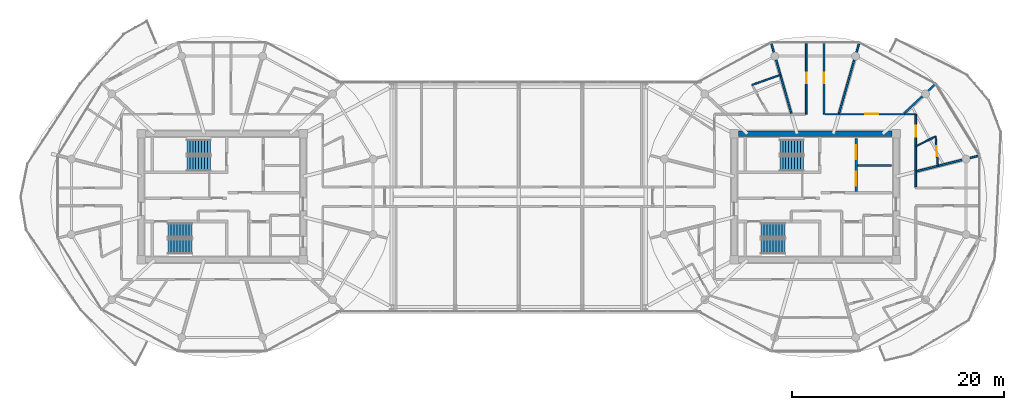
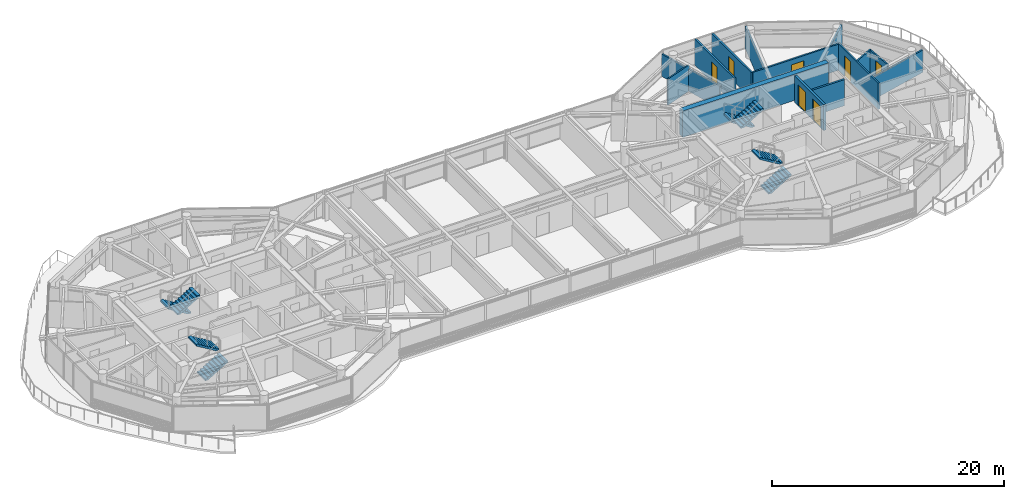
# One storey, part 20 of 23: 14 walls, 8 stair flights, 7 doors, 7 openings, 4 elements without a shape of their own.
"""IFC4 building model written with IfcOpenShell, lengths in metres."""

from ifc_helpers import new_model, si_unit, direction, frame, frame_2d, origin, place, context, subcontext, project, spatial, polyline, rectangle, outline, extrude, source, transform, mapped, material, layer, layer_set, type_object, type_shapes, element, fill, aggregate, save


model = new_model("IFC4")

# Units and contexts
model_context = context("Model", 3, precision=1e-05, world=origin(), true_north=direction((0.0, 1.0)))
body_context = subcontext(model_context, "Body", "Model", "MODEL_VIEW")
ifc_project = project(units=[si_unit("LENGTHUNIT", "METRE"), si_unit("AREAUNIT", "SQUARE_METRE"), si_unit("VOLUMEUNIT", "CUBIC_METRE"), si_unit("PLANEANGLEUNIT", "RADIAN"), si_unit("MASSUNIT", "GRAM", prefix="KILO")], contexts=[model_context])

# Site, building, storey
site_placement = place(None, origin())
site = spatial("IfcSite", under=ifc_project, at=site_placement, CompositionType="ELEMENT")
building_placement = place(site_placement, origin())
building = spatial("IfcBuilding", under=site, at=building_placement, Name="Norrkilde Senior Care Towers", CompositionType="ELEMENT")
storey_placement = place(building_placement, frame((0.0, 0.0, 207.800048828125)))
storey = spatial("IfcBuildingStorey", under=building, at=storey_placement, Name="L64", CompositionType="ELEMENT", Elevation=207.800048828125)

# Walls
ifc_material_1 = material(Name="Concrete C50/60", Category="concrete")
ifc_layer_1 = layer(ifc_material_1, 0.52001953125)
ifc_layer_set_1 = layer_set([ifc_layer_1], Name="Concrete C50/60")
wall_type_1 = type_object("IfcWallType", Name="Core Shear Wall Z4 520", PredefinedType="SHEAR", material=ifc_layer_set_1)
shared_shape_1 = source(origin(), body_context, "Body", "SweptSolid", [
    extrude(rectangle(XDim=14.5, YDim=0.52001953125, at=frame_2d((7.25, 0.0))), origin(), (0.0, 0.0, 1.0), 2.760009765625),
])
type_shapes(wall_type_1, [shared_shape_1])
wall_1_placement = place(storey_placement, frame((20.75, 5.949951171875, 0.0), z_axis=(0.0, 0.0, 1.0), x_axis=(1.0, 0.0, 0.0)))
element("IfcWall", 1, at=wall_1_placement, inside=storey, type_object=wall_type_1, Name="L64 Core E North Shear Wall", PredefinedType="SHEAR", context=body_context, shape_type="MappedRepresentation", body=[
    mapped(shared_shape_1, transform((0.0, 0.0, 0.0), x_axis=(1.0, 0.0, 0.0), y_axis=(0.0, 1.0, 0.0), z_axis=(0.0, 0.0, 1.0), scale=1.0)),
])
ifc_material_2 = material(Name="Gypsum Acoustic Board")
ifc_layer_2 = layer(ifc_material_2, 0.1650390625)
ifc_layer_set_2 = layer_set([ifc_layer_2], Name="Gypsum Acoustic Board")
wall_type_2 = type_object("IfcWallType", Name="Corridor Rated Partition 165", PredefinedType="PARTITIONING", material=ifc_layer_set_2)
shared_shape_2 = source(origin(), body_context, "Body", "SweptSolid", [
    extrude(rectangle(XDim=6.973876953125, YDim=0.1650390625, at=frame_2d((3.48681640625, 0.0))), origin(), (0.0, 0.0, 1.0), 2.344970703125),
])
for number, where, z_axis, x_axis, name in (
    (2, (30.251220703125, 7.8798828125, 0.0), (0.0, 0.0, 1.0), (0.274707256801, 0.961527910703, 0.0), "WL-INT-L64-E-DEM-02-0"),
    (3, (25.748779296875, 7.8798828125, 0.0), (0.0, 0.0, 1.0), (-0.274707256801, 0.961527910703, 0.0), "WL-INT-L64-E-DEM-03-0"),
):
    element("IfcWall", number, at=place(storey_placement, frame(where, z_axis=z_axis, x_axis=x_axis)), inside=storey, type_object=wall_type_2, Name=name, PredefinedType="PARTITIONING", context=body_context, shape_type="MappedRepresentation", body=[
        mapped(shared_shape_2, transform((0.0, 0.0, 0.0), x_axis=(1.0, 0.0, 0.0), y_axis=(0.0, 1.0, 0.0), z_axis=(0.0, 0.0, 1.0), scale=1.0)),
    ])
shared_shape_3 = source(origin(), body_context, "Body", "SweptSolid", [
    extrude(rectangle(XDim=6.1572265625, YDim=0.1650390625, at=frame_2d((3.07861328125, 0.0))), origin(), (0.0, 0.0, 1.0), 2.344970703125),
])
wall_2_placement = place(storey_placement, frame((37.580078125, 2.407470703125, 0.0), z_axis=(0.0, 0.0, 1.0), x_axis=(0.969840867184, 0.243738984038, 0.0)))
element("IfcWall", 4, at=wall_2_placement, inside=storey, type_object=wall_type_2, Name="WL-INT-L64-E-DEM-00-0", PredefinedType="PARTITIONING", context=body_context, shape_type="MappedRepresentation", body=[
    mapped(shared_shape_3, transform((0.0, 0.0, 0.0), x_axis=(1.0, 0.0, 0.0), y_axis=(0.0, 1.0, 0.0), z_axis=(0.0, 0.0, 1.0), scale=1.0)),
])
ifc_layer_3 = layer(ifc_material_2, 0.18994140625)
ifc_layer_set_3 = layer_set([ifc_layer_3], Name="Gypsum Acoustic Board")
wall_type_3 = type_object("IfcWallType", Name="Unit Demising Acoustic Wall 190", PredefinedType="PARTITIONING", material=ifc_layer_set_3)
shared_shape_4 = source(origin(), body_context, "Body", "SweptSolid", [
    extrude(rectangle(XDim=4.089111328125, YDim=0.18994140625, at=frame_2d((2.04443359375, 0.0))), origin(), (0.0, 0.0, 1.0), 2.344970703125),
])
type_shapes(wall_type_3, [shared_shape_4])
wall_3_placement = place(storey_placement, frame((36.40185546875, 7.8798828125, 0.0), z_axis=(0.0, 0.0, 1.0), x_axis=(0.729401273609, 0.684086092577, 0.0)))
element("IfcWall", 5, at=wall_3_placement, inside=storey, type_object=wall_type_3, Name="WL-INT-L64-E-DEM-01-0", PredefinedType="PARTITIONING", context=body_context, shape_type="MappedRepresentation", body=[
    mapped(shared_shape_4, transform((0.0, 0.0, 0.0), x_axis=(1.0, 0.0, 0.0), y_axis=(0.0, 1.0, 0.0), z_axis=(0.0, 0.0, 1.0), scale=1.0)),
])

# Wall, openings, doors
ifc_material_3 = material(Name="Concrete C45/55", Category="concrete")
ifc_layer_4 = layer(ifc_material_3, 0.239990234375)
ifc_layer_set_4 = layer_set([ifc_layer_4], Name="Concrete C45/55")
wall_type_4 = type_object("IfcWallType", Name="Lift and Plant Rated Enclosure Partition 240", PredefinedType="PARTITIONING", material=ifc_layer_set_4)
shared_shape_5 = source(origin(), body_context, "Body", "SweptSolid", [
    extrude(rectangle(XDim=5.0, YDim=0.239990234375, at=frame_2d((2.5, 0.0))), origin(), (0.0, 0.0, 1.0), 2.744873046875),
])
type_shapes(wall_type_4, [shared_shape_5])
wall_4_placement = place(storey_placement, frame((31.860107421875, 0.5, 0.0), z_axis=(0.0, 0.0, 1.0), x_axis=(0.0, 1.0, 0.0)))
wall_4 = element("IfcWall", 6, at=wall_4_placement, inside=storey, type_object=wall_type_4, Name="WL-INT-L64-E-FFLE", PredefinedType="PARTITIONING", context=body_context, shape_type="MappedRepresentation", body=[
    mapped(shared_shape_5, transform((0.0, 0.0, 0.0), x_axis=(1.0, 0.0, 0.0), y_axis=(0.0, 1.0, 0.0), z_axis=(0.0, 0.0, 1.0), scale=1.0)),
])
opening_1_placement = place(wall_4_placement, frame((3.050048828125, 0.0, 0.0)))
opening_1 = element("IfcOpeningElement", 7, at=opening_1_placement, cuts=wall_4, Name="Opening LD-02", PredefinedType="OPENING", context=body_context, shape_type="SweptSolid", body=[
    extrude(rectangle(XDim=1.300048828125, YDim=2.199951171875, at=frame_2d((0.64990234375, 1.10009765625))), frame((0.0, 0.1298828125, 0.0), z_axis=(0.0, -1.0, 0.0), x_axis=(1.0, 0.0, 0.0)), (0.0, 0.0, 1.0), 0.260009765625),
])
opening_2_placement = place(wall_4_placement, frame((0.550048828125, 0.0, 0.0)))
opening_2 = element("IfcOpeningElement", 8, at=opening_2_placement, cuts=wall_4, Name="Opening LD-02", PredefinedType="OPENING", context=body_context, shape_type="SweptSolid", body=[
    extrude(rectangle(XDim=1.300048828125, YDim=2.199951171875, at=frame_2d((0.64990234375, 1.10009765625))), frame((0.0, 0.1298828125, 0.0), z_axis=(0.0, -1.0, 0.0), x_axis=(1.0, 0.0, 0.0)), (0.0, 0.0, 1.0), 0.260009765625),
])
ifc_material_4 = material(Name="Stainless Steel", Category="steel")
door_type_1 = type_object("IfcDoorType", Name="Stretcher and FFL Landing Sliding Door 1300x2200", OperationType="NOTDEFINED", PredefinedType="DOOR", material=ifc_material_4)
shared_shape_6 = source(origin(), body_context, "Body", "SweptSolid", [
    extrude(rectangle(XDim=1.300048828125, YDim=2.199951171875, at=frame_2d((0.64990234375, 1.10009765625))), frame((0.0, 0.02490234375, 0.0), z_axis=(0.0, -1.0, 0.0), x_axis=(1.0, 0.0, 0.0)), (0.0, 0.0, 1.0), 0.050048828125),
])
type_shapes(door_type_1, [shared_shape_6])
door_1_placement = place(opening_1_placement, origin())
door_1 = element("IfcDoor", 9, at=door_1_placement, inside=storey, type_object=door_type_1, Name="L64 Firefighting Lift E1 Landing Door", OperationType="SLIDING_TO_LEFT", OverallHeight=2.199951171875, OverallWidth=1.300048828125, PredefinedType="DOOR", context=body_context, shape_type="MappedRepresentation", body=[
    mapped(shared_shape_6, transform((0.0, 0.0, 0.0), x_axis=(1.0, 0.0, 0.0), y_axis=(0.0, 1.0, 0.0), z_axis=(0.0, 0.0, 1.0), scale=1.0)),
])
fill(opening_1, door_1)
door_2_placement = place(opening_2_placement, origin())
door_2 = element("IfcDoor", 10, at=door_2_placement, inside=storey, type_object=door_type_1, Name="L64 Stretcher Lift E1 Landing Door", OperationType="SLIDING_TO_RIGHT", OverallHeight=2.199951171875, OverallWidth=1.300048828125, PredefinedType="DOOR", context=body_context, shape_type="MappedRepresentation", body=[
    mapped(shared_shape_6, transform((0.0, 0.0, 0.0), x_axis=(1.0, 0.0, 0.0), y_axis=(0.0, 1.0, 0.0), z_axis=(0.0, 0.0, 1.0), scale=1.0)),
])
fill(opening_2, door_2)

# Wall
ifc_layer_5 = layer(ifc_material_3, 0.199951171875)
ifc_layer_set_5 = layer_set([ifc_layer_5], Name="Concrete C45/55")
wall_type_5 = type_object("IfcWallType", Name="Shaft Division and Plant Partition 200", PredefinedType="PARTITIONING", material=ifc_layer_set_5)
shared_shape_7 = source(origin(), body_context, "Body", "SweptSolid", [
    extrude(rectangle(XDim=3.199951171875, YDim=0.199951171875, at=frame_2d((1.60009765625, 0.0))), origin(), (0.0, 0.0, 1.0), 2.744873046875),
])
type_shapes(wall_type_5, [shared_shape_7])
wall_5_placement = place(storey_placement, frame((32.0, 2.949951171875, 0.0), z_axis=(0.0, 0.0, 1.0), x_axis=(1.0, 0.0, 0.0)))
element("IfcWall", 11, at=wall_5_placement, inside=storey, type_object=wall_type_5, Name="WL-INT-L64-E-FFLDIV", PredefinedType="PARTITIONING", context=body_context, shape_type="MappedRepresentation", body=[
    mapped(shared_shape_7, transform((0.0, 0.0, 0.0), x_axis=(1.0, 0.0, 0.0), y_axis=(0.0, 1.0, 0.0), z_axis=(0.0, 0.0, 1.0), scale=1.0)),
])

# Wall, opening, door
shared_shape_8 = source(origin(), body_context, "Body", "SweptSolid", [
    extrude(rectangle(XDim=8.580078125, YDim=0.1650390625, at=frame_2d((4.2900390625, 0.0))), origin(), (0.0, 0.0, 1.0), 2.744873046875),
])
wall_6_placement = place(storey_placement, frame((28.919921875, 7.800048828125, 0.0), z_axis=(0.0, 0.0, 1.0), x_axis=(1.0, 0.0, 0.0)))
wall_6 = element("IfcWall", 12, at=wall_6_placement, inside=storey, type_object=wall_type_2, Name="WL-INT-L64-E-CRW-N-1", PredefinedType="PARTITIONING", context=body_context, shape_type="MappedRepresentation", body=[
    mapped(shared_shape_8, transform((0.0, 0.0, 0.0), x_axis=(1.0, 0.0, 0.0), y_axis=(0.0, 1.0, 0.0), z_axis=(0.0, 0.0, 1.0), scale=1.0)),
])
opening_3_placement = place(wall_6_placement, frame((3.802490234375, 0.0, 0.0)))
opening_3 = element("IfcOpeningElement", 13, at=opening_3_placement, cuts=wall_6, Name="Opening D-05", PredefinedType="OPENING", context=body_context, shape_type="SweptSolid", body=[
    extrude(rectangle(XDim=1.25, YDim=2.199951171875, at=frame_2d((0.625, 1.10009765625))), frame((0.0, 0.092529296875, 0.0), z_axis=(0.0, -1.0, 0.0), x_axis=(1.0, 0.0, 0.0)), (0.0, 0.0, 1.0), 0.18505859375),
])
ifc_material_5 = material(Name="Nordic Ash Timber", Category="wood")
door_type_2 = type_object("IfcDoorType", Name="Care Bedroom Bariatric Door 1250x2200", OperationType="NOTDEFINED", PredefinedType="DOOR", material=ifc_material_5)
shared_shape_9 = source(origin(), body_context, "Body", "SweptSolid", [
    extrude(rectangle(XDim=1.25, YDim=2.199951171875, at=frame_2d((0.625, 1.10009765625))), frame((0.0, 0.02490234375, 0.0), z_axis=(0.0, -1.0, 0.0), x_axis=(1.0, 0.0, 0.0)), (0.0, 0.0, 1.0), 0.050048828125),
])
type_shapes(door_type_2, [shared_shape_9])
door_3_placement = place(opening_3_placement, frame((1.25, 0.0, 0.0), z_axis=(0.0, 0.0, 1.0), x_axis=(-1.0, 0.0, 0.0)))
door_3 = element("IfcDoor", 14, at=door_3_placement, inside=storey, type_object=door_type_2, Name="L64 Senior Wellness Library Lounge Door", OperationType="SINGLE_SWING_RIGHT", OverallHeight=2.199951171875, OverallWidth=1.25, PredefinedType="DOOR", context=body_context, shape_type="MappedRepresentation", body=[
    mapped(shared_shape_9, transform((0.0, 0.0, 0.0), x_axis=(1.0, 0.0, 0.0), y_axis=(0.0, 1.0, 0.0), z_axis=(0.0, 0.0, 1.0), scale=1.0)),
])
fill(opening_3, door_3)

shared_shape_10 = source(origin(), body_context, "Body", "SweptSolid", [
    extrude(rectangle(XDim=6.880126953125, YDim=0.1650390625, at=frame_2d((3.43994140625, 0.0))), origin(), (0.0, 0.0, 1.0), 2.744873046875),
])
wall_7_placement = place(storey_placement, frame((37.5, 7.800048828125, 0.0), z_axis=(0.0, 0.0, 1.0), x_axis=(0.0, -1.0, 0.0)))
wall_7 = element("IfcWall", 15, at=wall_7_placement, inside=storey, type_object=wall_type_2, Name="WL-INT-L64-E-CRW-E-0", PredefinedType="PARTITIONING", context=body_context, shape_type="MappedRepresentation", body=[
    mapped(shared_shape_10, transform((0.0, 0.0, 0.0), x_axis=(1.0, 0.0, 0.0), y_axis=(0.0, 1.0, 0.0), z_axis=(0.0, 0.0, 1.0), scale=1.0)),
])
opening_4_placement = place(wall_7_placement, frame((1.068115234375, 0.0, 0.0)))
opening_4 = element("IfcOpeningElement", 16, at=opening_4_placement, cuts=wall_7, Name="Opening D-06", PredefinedType="OPENING", context=body_context, shape_type="SweptSolid", body=[
    extrude(rectangle(XDim=1.050048828125, YDim=2.14990234375, at=frame_2d((0.52490234375, 1.074951171875))), frame((0.0, 0.092529296875, 0.0), z_axis=(0.0, -1.0, 0.0), x_axis=(1.0, 0.0, 0.0)), (0.0, 0.0, 1.0), 0.18505859375),
])
door_type_3 = type_object("IfcDoorType", Name="Apartment Entrance Fire Door 1050x2150", OperationType="NOTDEFINED", PredefinedType="DOOR", material=ifc_material_5)
shared_shape_11 = source(origin(), body_context, "Body", "SweptSolid", [
    extrude(rectangle(XDim=1.050048828125, YDim=2.14990234375, at=frame_2d((0.52490234375, 1.074951171875))), frame((0.0, 0.02490234375, 0.0), z_axis=(0.0, -1.0, 0.0), x_axis=(1.0, 0.0, 0.0)), (0.0, 0.0, 1.0), 0.050048828125),
])
type_shapes(door_type_3, [shared_shape_11])
door_4_placement = place(opening_4_placement, frame((1.050048828125, 0.0, 0.0), z_axis=(0.0, 0.0, 1.0), x_axis=(-1.0, 0.0, 0.0)))
door_4 = element("IfcDoor", 17, at=door_4_placement, inside=storey, type_object=door_type_3, Name="L64 Studio 64A Entrance Door", OperationType="SINGLE_SWING_LEFT", OverallHeight=2.14990234375, OverallWidth=1.050048828125, PredefinedType="DOOR", context=body_context, shape_type="MappedRepresentation", body=[
    mapped(shared_shape_11, transform((0.0, 0.0, 0.0), x_axis=(1.0, 0.0, 0.0), y_axis=(0.0, 1.0, 0.0), z_axis=(0.0, 0.0, 1.0), scale=1.0)),
])
fill(opening_4, door_4)

shared_shape_12 = source(origin(), body_context, "Body", "SweptSolid", [
    extrude(rectangle(XDim=6.83544921875, YDim=0.1650390625, at=frame_2d((3.417724609375, 0.0))), origin(), (0.0, 0.0, 1.0), 2.744873046875),
])
type_shapes(wall_type_2, [shared_shape_2, shared_shape_3, shared_shape_8, shared_shape_10, shared_shape_12])
wall_8_placement = place(storey_placement, frame((27.159912109375, 7.800048828125, 0.0), z_axis=(0.0, 0.0, 1.0), x_axis=(0.0, 1.0, 0.0)))
wall_8 = element("IfcWall", 18, at=wall_8_placement, inside=storey, type_object=wall_type_2, Name="WL-INT-L64-E-SPK-N1-0", PredefinedType="PARTITIONING", context=body_context, shape_type="MappedRepresentation", body=[
    mapped(shared_shape_12, transform((0.0, 0.0, 0.0), x_axis=(1.0, 0.0, 0.0), y_axis=(0.0, 1.0, 0.0), z_axis=(0.0, 0.0, 1.0), scale=1.0)),
])
opening_5_placement = place(wall_8_placement, frame((2.942626953125, 0.0, 0.0)))
opening_5 = element("IfcOpeningElement", 19, at=opening_5_placement, cuts=wall_8, Name="Opening D-07", PredefinedType="OPENING", context=body_context, shape_type="SweptSolid", body=[
    extrude(rectangle(XDim=0.949951171875, YDim=2.10009765625, at=frame_2d((0.47509765625, 1.050048828125))), frame((0.0, 0.092529296875, 0.0), z_axis=(0.0, -1.0, 0.0), x_axis=(1.0, 0.0, 0.0)), (0.0, 0.0, 1.0), 0.18505859375),
])
door_type_4 = type_object("IfcDoorType", Name="Internal Suite Bedroom Door 950x2100", OperationType="NOTDEFINED", PredefinedType="DOOR", material=ifc_material_5)
shared_shape_13 = source(origin(), body_context, "Body", "SweptSolid", [
    extrude(rectangle(XDim=0.949951171875, YDim=2.10009765625, at=frame_2d((0.47509765625, 1.050048828125))), frame((0.0, 0.02490234375, 0.0), z_axis=(0.0, -1.0, 0.0), x_axis=(1.0, 0.0, 0.0)), (0.0, 0.0, 1.0), 0.050048828125),
])
type_shapes(door_type_4, [shared_shape_13])
door_5_placement = place(opening_5_placement, frame((0.949951171875, 0.0, 0.0), z_axis=(0.0, 0.0, 1.0), x_axis=(-1.0, 0.0, 0.0)))
door_5 = element("IfcDoor", 20, at=door_5_placement, inside=storey, type_object=door_type_4, Name="L64 Sun Reading Lounge 3 Door", OperationType="SINGLE_SWING_RIGHT", OverallHeight=2.10009765625, OverallWidth=0.949951171875, PredefinedType="DOOR", context=body_context, shape_type="MappedRepresentation", body=[
    mapped(shared_shape_13, transform((0.0, 0.0, 0.0), x_axis=(1.0, 0.0, 0.0), y_axis=(0.0, 1.0, 0.0), z_axis=(0.0, 0.0, 1.0), scale=1.0)),
])
fill(opening_5, door_5)

wall_9_placement = place(storey_placement, frame((28.840087890625, 14.635498046875, 0.0), z_axis=(0.0, 0.0, 1.0), x_axis=(0.0, -1.0, 0.0)))
wall_9 = element("IfcWall", 21, at=wall_9_placement, inside=storey, type_object=wall_type_2, Name="WL-INT-L64-E-SPK-N2-0", PredefinedType="PARTITIONING", context=body_context, shape_type="MappedRepresentation", body=[
    mapped(shared_shape_12, transform((0.0, 0.0, 0.0), x_axis=(1.0, 0.0, 0.0), y_axis=(0.0, 1.0, 0.0), z_axis=(0.0, 0.0, 1.0), scale=1.0)),
])
opening_6_placement = place(wall_9_placement, frame((2.942626953125, 0.0, 0.0)))
opening_6 = element("IfcOpeningElement", 22, at=opening_6_placement, cuts=wall_9, Name="Opening D-07", PredefinedType="OPENING", context=body_context, shape_type="SweptSolid", body=[
    extrude(rectangle(XDim=0.949951171875, YDim=2.10009765625, at=frame_2d((0.47509765625, 1.050048828125))), frame((0.0, 0.092529296875, 0.0), z_axis=(0.0, -1.0, 0.0), x_axis=(1.0, 0.0, 0.0)), (0.0, 0.0, 1.0), 0.18505859375),
])
door_6_placement = place(opening_6_placement, frame((0.949951171875, 0.0, 0.0), z_axis=(0.0, 0.0, 1.0), x_axis=(-1.0, 0.0, 0.0)))
door_6 = element("IfcDoor", 23, at=door_6_placement, inside=storey, type_object=door_type_4, Name="L64 Sun Reading Lounge 4 Door", OperationType="SINGLE_SWING_LEFT", OverallHeight=2.10009765625, OverallWidth=0.949951171875, PredefinedType="DOOR", context=body_context, shape_type="MappedRepresentation", body=[
    mapped(shared_shape_13, transform((0.0, 0.0, 0.0), x_axis=(1.0, 0.0, 0.0), y_axis=(0.0, 1.0, 0.0), z_axis=(0.0, 0.0, 1.0), scale=1.0)),
])
fill(opening_6, door_6)

# Wall
ifc_layer_6 = layer(ifc_material_2, 0.139892578125)
ifc_layer_set_6 = layer_set([ifc_layer_6], Name="Gypsum Acoustic Board")
wall_type_6 = type_object("IfcWallType", Name="En-suite Wet Room Wall 140", PredefinedType="PARTITIONING", material=ifc_layer_set_6)
shared_shape_14 = source(origin(), body_context, "Body", "SweptSolid", [
    extrude(rectangle(XDim=2.059814453125, YDim=0.139892578125, at=frame_2d((1.02978515625, 0.0))), origin(), (0.0, 0.0, 1.0), 2.744873046875),
])
wall_10_placement = place(storey_placement, frame((37.530029296875, 4.7783203125, 0.0), z_axis=(0.0, 0.0, 1.0), x_axis=(0.893952568722, 0.448161583444, 0.0)))
element("IfcWall", 24, at=wall_10_placement, inside=storey, type_object=wall_type_6, Name="WL-INT-L64-E-ES-00", PredefinedType="PARTITIONING", context=body_context, shape_type="MappedRepresentation", body=[
    mapped(shared_shape_14, transform((0.0, 0.0, 0.0), x_axis=(1.0, 0.0, 0.0), y_axis=(0.0, 1.0, 0.0), z_axis=(0.0, 0.0, 1.0), scale=1.0)),
])

# Wall, opening, door
shared_shape_15 = source(origin(), body_context, "Body", "SweptSolid", [
    extrude(rectangle(XDim=2.79833984375, YDim=0.139892578125, at=frame_2d((1.399169921875, 0.0))), origin(), (0.0, 0.0, 1.0), 2.744873046875),
])
wall_11_placement = place(storey_placement, frame((39.371337890625, 5.701416015625, 0.0), z_axis=(0.0, 0.0, 1.0), x_axis=(0.077823984089, -0.996967114553, 0.0)))
wall_11 = element("IfcWall", 25, at=wall_11_placement, inside=storey, type_object=wall_type_6, Name="WL-INT-L64-E-EF-00", PredefinedType="PARTITIONING", context=body_context, shape_type="MappedRepresentation", body=[
    mapped(shared_shape_15, transform((0.0, 0.0, 0.0), x_axis=(1.0, 0.0, 0.0), y_axis=(0.0, 1.0, 0.0), z_axis=(0.0, 0.0, 1.0), scale=1.0)),
])
opening_7_placement = place(wall_11_placement, frame((0.939208984375, 0.0, 0.0)))
opening_7 = element("IfcOpeningElement", 26, at=opening_7_placement, cuts=wall_11, Name="Opening D-08", PredefinedType="OPENING", context=body_context, shape_type="SweptSolid", body=[
    extrude(rectangle(XDim=0.919921875, YDim=2.10009765625, at=frame_2d((0.4599609375, 1.050048828125))), frame((0.0, 0.079833984375, 0.0), z_axis=(0.0, -1.0, 0.0), x_axis=(1.0, 0.0, 0.0)), (0.0, 0.0, 1.0), 0.159912109375),
])
door_type_5 = type_object("IfcDoorType", Name="Accessible Wet Room Door 920x2100", OperationType="NOTDEFINED", PredefinedType="DOOR", material=ifc_material_5)
shared_shape_16 = source(origin(), body_context, "Body", "SweptSolid", [
    extrude(rectangle(XDim=0.919921875, YDim=2.10009765625, at=frame_2d((0.4599609375, 1.050048828125))), frame((0.0, 0.02490234375, 0.0), z_axis=(0.0, -1.0, 0.0), x_axis=(1.0, 0.0, 0.0)), (0.0, 0.0, 1.0), 0.050048828125),
])
type_shapes(door_type_5, [shared_shape_16])
door_7_placement = place(opening_7_placement, origin())
door_7 = element("IfcDoor", 27, at=door_7_placement, inside=storey, type_object=door_type_5, Name="L64 Studio 64A Bathroom Door", OperationType="SINGLE_SWING_RIGHT", OverallHeight=2.10009765625, OverallWidth=0.919921875, PredefinedType="DOOR", context=body_context, shape_type="MappedRepresentation", body=[
    mapped(shared_shape_16, transform((0.0, 0.0, 0.0), x_axis=(1.0, 0.0, 0.0), y_axis=(0.0, 1.0, 0.0), z_axis=(0.0, 0.0, 1.0), scale=1.0)),
])
fill(opening_7, door_7)

# Wall
shared_shape_17 = source(origin(), body_context, "Body", "SweptSolid", [
    extrude(rectangle(XDim=2.8310546875, YDim=0.139892578125, at=frame_2d((1.41552734375, 0.0))), origin(), (0.0, 0.0, 1.0), 2.744873046875),
])
type_shapes(wall_type_6, [shared_shape_14, shared_shape_15, shared_shape_17])
wall_12_placement = place(storey_placement, frame((22.042724609375, 10.5654296875, 0.0), z_axis=(0.0, 0.0, 1.0), x_axis=(0.941411742535, 0.337259441701, 0.0)))
element("IfcWall", 28, at=wall_12_placement, inside=storey, type_object=wall_type_6, Name="WL-INT-L64-E-EF-03", PredefinedType="PARTITIONING", context=body_context, shape_type="MappedRepresentation", body=[
    mapped(shared_shape_17, transform((0.0, 0.0, 0.0), x_axis=(1.0, 0.0, 0.0), y_axis=(0.0, 1.0, 0.0), z_axis=(0.0, 0.0, 1.0), scale=1.0)),
])

# Stair, stair flights
stair_type = type_object("IfcStairType", Name="Core Protected Dogleg Stair Typical 3050", PredefinedType="HALF_TURN_STAIR", material=ifc_material_3)
stair_1_placement = place(storey_placement, origin())
stair_1 = element("IfcStair", 29, at=stair_1_placement, inside=storey, type_object=stair_type, Name="L64 Protected Core Stair W1", PredefinedType="HALF_TURN_STAIR")
stair_flight_type = type_object("IfcStairFlightType", Name="Core Protected Dogleg Stair Typical 3050 Flight", PredefinedType="STRAIGHT", material=ifc_material_3)
stair_flight_1_placement = place(storey_placement, frame((-29.10009765625, 4.699951171875, 0.0), z_axis=(0.0, 0.0, 1.0), x_axis=(-1.0, 0.0, 0.0)))
stair_flight_1 = element("IfcStairFlight", 30, at=stair_flight_1_placement, type_object=stair_flight_type, Name="ST-W1 flight 1", NumberOfRisers=9, NumberOfTreads=8, PredefinedType="STRAIGHT", RiserHeight=0.169444444, TreadLength=0.28, context=body_context, shape_type="SweptSolid", body=[
    extrude(outline(polyline([(0.0, 0.0), (0.0, 0.16943359375), (0.280029296875, 0.16943359375), (0.280029296875, 0.3388671875), (0.56005859375, 0.3388671875), (0.56005859375, 0.50830078125), (0.840087890625, 0.50830078125), (0.840087890625, 0.677734375), (1.1201171875, 0.677734375), (1.1201171875, 0.84716796875), (1.39990234375, 0.84716796875), (1.39990234375, 1.0166015625), (1.679931640625, 1.0166015625), (1.679931640625, 1.18603515625), (1.9599609375, 1.18603515625), (1.9599609375, 1.35546875), (2.239990234375, 1.35546875), (2.239990234375, 1.52490234375), (2.239990234375, 1.180419921875), (0.28955078125, 0.0), (0.0, 0.0)])), frame((0.0, 0.699951171875, 0.0), z_axis=(0.0, -1.0, 0.0), x_axis=(1.0, 0.0, 0.0)), (0.0, 0.0, 1.0), 1.39990234375),
])
stair_flight_2_placement = place(storey_placement, frame((-31.340087890625, 3.14990234375, 1.52490234375), z_axis=(0.0, 0.0, 1.0), x_axis=(1.0, 0.0, 0.0)))
stair_flight_2 = element("IfcStairFlight", 31, at=stair_flight_2_placement, type_object=stair_flight_type, Name="ST-W1 flight 2", NumberOfRisers=9, NumberOfTreads=8, PredefinedType="STRAIGHT", RiserHeight=0.169444444, TreadLength=0.28, context=body_context, shape_type="SweptSolid", body=[
    extrude(outline(polyline([(0.0, 0.0), (0.0, 0.16943359375), (0.280029296875, 0.16943359375), (0.280029296875, 0.3388671875), (0.56005859375, 0.3388671875), (0.56005859375, 0.50830078125), (0.840087890625, 0.50830078125), (0.840087890625, 0.677734375), (1.1201171875, 0.677734375), (1.1201171875, 0.84716796875), (1.39990234375, 0.84716796875), (1.39990234375, 1.0166015625), (1.679931640625, 1.0166015625), (1.679931640625, 1.18603515625), (1.9599609375, 1.18603515625), (1.9599609375, 1.35546875), (2.239990234375, 1.35546875), (2.239990234375, 1.52490234375), (2.239990234375, 1.180419921875), (0.28955078125, 0.0), (0.0, 0.0)])), frame((0.0, 0.699951171875, 0.0), z_axis=(0.0, -1.0, 0.0), x_axis=(1.0, 0.0, 0.0)), (0.0, 0.0, 1.0), 1.39990234375),
])
aggregate(stair_1, [stair_flight_1, stair_flight_2])

stair_2_placement = place(storey_placement, origin())
stair_2 = element("IfcStair", 32, at=stair_2_placement, inside=storey, type_object=stair_type, Name="L64 Protected Core Stair W2", PredefinedType="HALF_TURN_STAIR")
stair_flight_3_placement = place(storey_placement, frame((-33.10009765625, -4.699951171875, 0.0), z_axis=(0.0, 0.0, 1.0), x_axis=(1.0, 0.0, 0.0)))
stair_flight_3 = element("IfcStairFlight", 33, at=stair_flight_3_placement, type_object=stair_flight_type, Name="ST-W2 flight 1", NumberOfRisers=9, NumberOfTreads=8, PredefinedType="STRAIGHT", RiserHeight=0.169444444, TreadLength=0.28, context=body_context, shape_type="SweptSolid", body=[
    extrude(outline(polyline([(0.0, 0.0), (0.0, 0.16943359375), (0.280029296875, 0.16943359375), (0.280029296875, 0.3388671875), (0.56005859375, 0.3388671875), (0.56005859375, 0.50830078125), (0.840087890625, 0.50830078125), (0.840087890625, 0.677734375), (1.1201171875, 0.677734375), (1.1201171875, 0.84716796875), (1.39990234375, 0.84716796875), (1.39990234375, 1.0166015625), (1.679931640625, 1.0166015625), (1.679931640625, 1.18603515625), (1.9599609375, 1.18603515625), (1.9599609375, 1.35546875), (2.239990234375, 1.35546875), (2.239990234375, 1.52490234375), (2.239990234375, 1.180419921875), (0.28955078125, 0.0), (0.0, 0.0)])), frame((0.0, 0.699951171875, 0.0), z_axis=(0.0, -1.0, 0.0), x_axis=(1.0, 0.0, 0.0)), (0.0, 0.0, 1.0), 1.39990234375),
])
stair_flight_4_placement = place(storey_placement, frame((-30.860107421875, -3.14990234375, 1.52490234375), z_axis=(0.0, 0.0, 1.0), x_axis=(-1.0, 0.0, 0.0)))
stair_flight_4 = element("IfcStairFlight", 34, at=stair_flight_4_placement, type_object=stair_flight_type, Name="ST-W2 flight 2", NumberOfRisers=9, NumberOfTreads=8, PredefinedType="STRAIGHT", RiserHeight=0.169444444, TreadLength=0.28, context=body_context, shape_type="SweptSolid", body=[
    extrude(outline(polyline([(0.0, 0.0), (0.0, 0.16943359375), (0.280029296875, 0.16943359375), (0.280029296875, 0.3388671875), (0.56005859375, 0.3388671875), (0.56005859375, 0.50830078125), (0.840087890625, 0.50830078125), (0.840087890625, 0.677734375), (1.1201171875, 0.677734375), (1.1201171875, 0.84716796875), (1.39990234375, 0.84716796875), (1.39990234375, 1.0166015625), (1.679931640625, 1.0166015625), (1.679931640625, 1.18603515625), (1.9599609375, 1.18603515625), (1.9599609375, 1.35546875), (2.239990234375, 1.35546875), (2.239990234375, 1.52490234375), (2.239990234375, 1.180419921875), (0.28955078125, 0.0), (0.0, 0.0)])), frame((0.0, 0.699951171875, 0.0), z_axis=(0.0, -1.0, 0.0), x_axis=(1.0, 0.0, 0.0)), (0.0, 0.0, 1.0), 1.39990234375),
])
aggregate(stair_2, [stair_flight_3, stair_flight_4])

stair_3_placement = place(storey_placement, origin())
stair_3 = element("IfcStair", 35, at=stair_3_placement, inside=storey, type_object=stair_type, Name="L64 Protected Core Stair E1", PredefinedType="HALF_TURN_STAIR")
stair_flight_5_placement = place(storey_placement, frame((26.89990234375, 4.699951171875, 0.0), z_axis=(0.0, 0.0, 1.0), x_axis=(-1.0, 0.0, 0.0)))
stair_flight_5 = element("IfcStairFlight", 36, at=stair_flight_5_placement, type_object=stair_flight_type, Name="ST-E1 flight 1", NumberOfRisers=9, NumberOfTreads=8, PredefinedType="STRAIGHT", RiserHeight=0.169444444, TreadLength=0.28, context=body_context, shape_type="SweptSolid", body=[
    extrude(outline(polyline([(0.0, 0.0), (0.0, 0.16943359375), (0.280029296875, 0.16943359375), (0.280029296875, 0.3388671875), (0.56005859375, 0.3388671875), (0.56005859375, 0.50830078125), (0.840087890625, 0.50830078125), (0.840087890625, 0.677734375), (1.1201171875, 0.677734375), (1.1201171875, 0.84716796875), (1.39990234375, 0.84716796875), (1.39990234375, 1.0166015625), (1.679931640625, 1.0166015625), (1.679931640625, 1.18603515625), (1.9599609375, 1.18603515625), (1.9599609375, 1.35546875), (2.239990234375, 1.35546875), (2.239990234375, 1.52490234375), (2.239990234375, 1.180419921875), (0.28955078125, 0.0), (0.0, 0.0)])), frame((0.0, 0.699951171875, 0.0), z_axis=(0.0, -1.0, 0.0), x_axis=(1.0, 0.0, 0.0)), (0.0, 0.0, 1.0), 1.39990234375),
])
stair_flight_6_placement = place(storey_placement, frame((24.659912109375, 3.14990234375, 1.52490234375), z_axis=(0.0, 0.0, 1.0), x_axis=(1.0, 0.0, 0.0)))
stair_flight_6 = element("IfcStairFlight", 37, at=stair_flight_6_placement, type_object=stair_flight_type, Name="ST-E1 flight 2", NumberOfRisers=9, NumberOfTreads=8, PredefinedType="STRAIGHT", RiserHeight=0.169444444, TreadLength=0.28, context=body_context, shape_type="SweptSolid", body=[
    extrude(outline(polyline([(0.0, 0.0), (0.0, 0.16943359375), (0.280029296875, 0.16943359375), (0.280029296875, 0.3388671875), (0.56005859375, 0.3388671875), (0.56005859375, 0.50830078125), (0.840087890625, 0.50830078125), (0.840087890625, 0.677734375), (1.1201171875, 0.677734375), (1.1201171875, 0.84716796875), (1.39990234375, 0.84716796875), (1.39990234375, 1.0166015625), (1.679931640625, 1.0166015625), (1.679931640625, 1.18603515625), (1.9599609375, 1.18603515625), (1.9599609375, 1.35546875), (2.239990234375, 1.35546875), (2.239990234375, 1.52490234375), (2.239990234375, 1.180419921875), (0.28955078125, 0.0), (0.0, 0.0)])), frame((0.0, 0.699951171875, 0.0), z_axis=(0.0, -1.0, 0.0), x_axis=(1.0, 0.0, 0.0)), (0.0, 0.0, 1.0), 1.39990234375),
])
aggregate(stair_3, [stair_flight_5, stair_flight_6])

stair_4_placement = place(storey_placement, origin())
stair_4 = element("IfcStair", 38, at=stair_4_placement, inside=storey, type_object=stair_type, Name="L64 Protected Core Stair E2", PredefinedType="HALF_TURN_STAIR")
stair_flight_7_placement = place(storey_placement, frame((22.89990234375, -4.699951171875, 0.0), z_axis=(0.0, 0.0, 1.0), x_axis=(1.0, 0.0, 0.0)))
stair_flight_7 = element("IfcStairFlight", 39, at=stair_flight_7_placement, type_object=stair_flight_type, Name="ST-E2 flight 1", NumberOfRisers=9, NumberOfTreads=8, PredefinedType="STRAIGHT", RiserHeight=0.169444444, TreadLength=0.28, context=body_context, shape_type="SweptSolid", body=[
    extrude(outline(polyline([(0.0, 0.0), (0.0, 0.16943359375), (0.280029296875, 0.16943359375), (0.280029296875, 0.3388671875), (0.56005859375, 0.3388671875), (0.56005859375, 0.50830078125), (0.840087890625, 0.50830078125), (0.840087890625, 0.677734375), (1.1201171875, 0.677734375), (1.1201171875, 0.84716796875), (1.39990234375, 0.84716796875), (1.39990234375, 1.0166015625), (1.679931640625, 1.0166015625), (1.679931640625, 1.18603515625), (1.9599609375, 1.18603515625), (1.9599609375, 1.35546875), (2.239990234375, 1.35546875), (2.239990234375, 1.52490234375), (2.239990234375, 1.180419921875), (0.28955078125, 0.0), (0.0, 0.0)])), frame((0.0, 0.699951171875, 0.0), z_axis=(0.0, -1.0, 0.0), x_axis=(1.0, 0.0, 0.0)), (0.0, 0.0, 1.0), 1.39990234375),
])
stair_flight_8_placement = place(storey_placement, frame((25.139892578125, -3.14990234375, 1.52490234375), z_axis=(0.0, 0.0, 1.0), x_axis=(-1.0, 0.0, 0.0)))
stair_flight_8 = element("IfcStairFlight", 40, at=stair_flight_8_placement, type_object=stair_flight_type, Name="ST-E2 flight 2", NumberOfRisers=9, NumberOfTreads=8, PredefinedType="STRAIGHT", RiserHeight=0.169444444, TreadLength=0.28, context=body_context, shape_type="SweptSolid", body=[
    extrude(outline(polyline([(0.0, 0.0), (0.0, 0.16943359375), (0.280029296875, 0.16943359375), (0.280029296875, 0.3388671875), (0.56005859375, 0.3388671875), (0.56005859375, 0.50830078125), (0.840087890625, 0.50830078125), (0.840087890625, 0.677734375), (1.1201171875, 0.677734375), (1.1201171875, 0.84716796875), (1.39990234375, 0.84716796875), (1.39990234375, 1.0166015625), (1.679931640625, 1.0166015625), (1.679931640625, 1.18603515625), (1.9599609375, 1.18603515625), (1.9599609375, 1.35546875), (2.239990234375, 1.35546875), (2.239990234375, 1.52490234375), (2.239990234375, 1.180419921875), (0.28955078125, 0.0), (0.0, 0.0)])), frame((0.0, 0.699951171875, 0.0), z_axis=(0.0, -1.0, 0.0), x_axis=(1.0, 0.0, 0.0)), (0.0, 0.0, 1.0), 1.39990234375),
])
aggregate(stair_4, [stair_flight_7, stair_flight_8])

save(model, "model.ifc")
